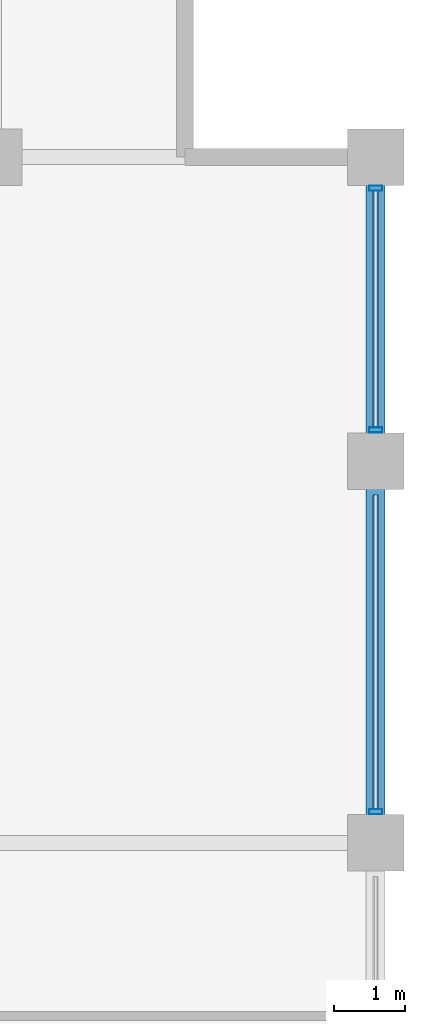
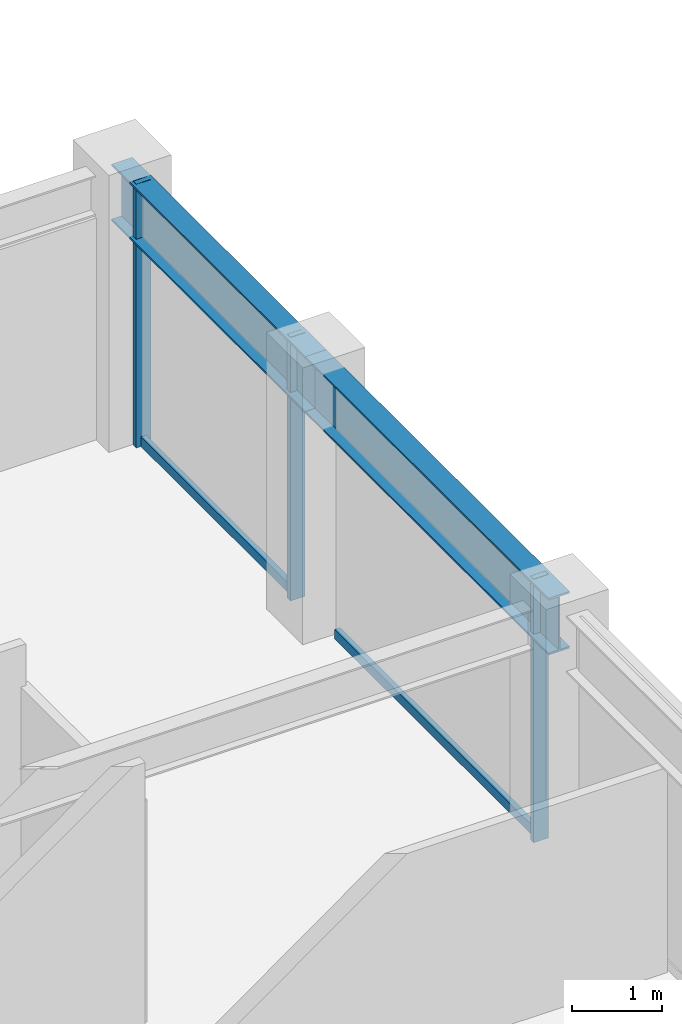
# One storey, part 25 of 32: 5 members, 2 beams, 1 element without a shape of its own.
"""IFC4 building model written with IfcOpenShell, lengths in metres."""

from ifc_helpers import new_model, si_unit, direction, frame, origin, origin_2d, place, context, subcontext, project, spatial, hollow_rectangle, i_section, extrude, material, layer, layer_set, material_profile, profile_set, type_object, element, aggregate, save


model = new_model("IFC4")

# Units and contexts
model_context = context("Model", 3, precision=1e-05, world=origin(), true_north=direction((0.0, 1.0)))
body_context = subcontext(model_context, "Body", "Model", "MODEL_VIEW")
ifc_project = project(units=[si_unit("LENGTHUNIT", "METRE"), si_unit("AREAUNIT", "SQUARE_METRE"), si_unit("VOLUMEUNIT", "CUBIC_METRE"), si_unit("PLANEANGLEUNIT", "RADIAN"), si_unit("MASSUNIT", "GRAM", prefix="KILO")], contexts=[model_context])

# Site, building, storey
site_placement = place(None, origin())
site = spatial("IfcSite", under=ifc_project, at=site_placement, CompositionType="ELEMENT")
building_placement = place(site_placement, origin())
building = spatial("IfcBuilding", under=site, at=building_placement, Name="Surkhivell Harbour Commons", CompositionType="ELEMENT")
storey_placement = place(building_placement, frame((0.0, 0.0, 216.0)))
storey = spatial("IfcBuildingStorey", under=building, at=storey_placement, Name="L56", CompositionType="ELEMENT", Elevation=216.0)

# Beams
ifc_material_1 = material(Name="Steel S355", Category="steel")
ifc_material_profile_1 = material_profile(ifc_material_1, i_section(OverallWidth=0.26806640625, OverallDepth=0.77001953125, WebThickness=0.015625, FlangeThickness=0.025390625, at=origin_2d()), Name="UB762x267x197")
ifc_profile_set_1 = profile_set([ifc_material_profile_1], Name="Steel S355")
beam_type = type_object("IfcBeamType", Name="BM-SPN-762", PredefinedType="SPANDREL", material=ifc_profile_set_1)
beam_1_placement = place(storey_placement, frame((21.60009765625, 10.800048828125, 3.18505859375), z_axis=(0.0, 1.0, 0.0), x_axis=(-1.0, 0.0, 0.0)))
element("IfcBeam", 1, at=beam_1_placement, inside=storey, type_object=beam_type, Name="L56 Tube Spandrel (21.6,10.8)", PredefinedType="SPANDREL", context=body_context, shape_type="SweptSolid", body=[
    extrude(i_section(OverallWidth=0.26806640625, OverallDepth=0.77001953125, WebThickness=0.015625, FlangeThickness=0.025390625, at=origin_2d()), origin(), (0.0, 0.0, 1.0), 5.39990234375),
])
beam_2_placement = place(storey_placement, frame((21.60009765625, 16.199951171875, 3.18505859375), z_axis=(0.0, 1.0, 0.0), x_axis=(-1.0, 0.0, 0.0)))
element("IfcBeam", 2, at=beam_2_placement, inside=storey, type_object=beam_type, Name="L56 Tube Spandrel (21.6,16.2)", PredefinedType="SPANDREL", context=body_context, shape_type="SweptSolid", body=[
    extrude(i_section(OverallWidth=0.26806640625, OverallDepth=0.77001953125, WebThickness=0.015625, FlangeThickness=0.025390625, at=origin_2d()), origin(), (0.0, 0.0, 1.0), 4.300048828125),
])

# Curtain wall, members
ifc_material_2 = material(Name="Anodised pale-metal aluminium and insulated glazing", Category="aluminium")
ifc_layer = layer(ifc_material_2, 0.18994140625)
ifc_layer_set = layer_set([ifc_layer], Name="Anodised pale-metal aluminium and insulated glazing")
curtain_wall_type = type_object("IfcCurtainWallType", Name="CW-SYS-Z3", PredefinedType="NOTDEFINED", material=ifc_layer_set)
curtain_wall_placement = place(storey_placement, origin())
curtain_wall = element("IfcCurtainWall", 3, at=curtain_wall_placement, inside=storey, type_object=curtain_wall_type, Name="L56 Curtain Wall CW-L56-E02", PredefinedType="NOTDEFINED")
ifc_material_3 = material(Name="Anodised pale-metal aluminium alloy 6063-T6", Category="aluminium")
ifc_material_profile_2 = material_profile(ifc_material_3, hollow_rectangle(XDim=0.074951171875, YDim=0.18994140625, WallThickness=0.00390625, at=origin_2d()), Name="ALU-MULL-75x190")
ifc_profile_set_2 = profile_set([ifc_material_profile_2], Name="Anodised pale-metal aluminium alloy 6063-T6")
member_type_1 = type_object("IfcMemberType", Name="CWM-190", PredefinedType="MULLION", material=ifc_profile_set_2)
member_1_placement = place(storey_placement, frame((21.60009765625, 11.239501953125, 0.0), z_axis=(0.0, 0.0, 1.0), x_axis=(0.0, 1.0, 0.0)))
member_1 = element("IfcMember", 4, at=member_1_placement, type_object=member_type_1, Name="CW-Z3 mullion 4", PredefinedType="MULLION", context=body_context, shape_type="SweptSolid", body=[
    extrude(hollow_rectangle(XDim=0.074951171875, YDim=0.18994140625, WallThickness=0.00390625, at=origin_2d()), origin(), (0.0, 0.0, 1.0), 3.570068359375),
])
member_2_placement = place(storey_placement, frame((21.60009765625, 16.639404296875, 0.0), z_axis=(0.0, 0.0, 1.0), x_axis=(0.0, 1.0, 0.0)))
member_2 = element("IfcMember", 5, at=member_2_placement, type_object=member_type_1, Name="CW-Z3 mullion 5", PredefinedType="MULLION", context=body_context, shape_type="SweptSolid", body=[
    extrude(hollow_rectangle(XDim=0.074951171875, YDim=0.18994140625, WallThickness=0.00390625, at=origin_2d()), origin(), (0.0, 0.0, 1.0), 3.570068359375),
])
member_3_placement = place(storey_placement, frame((21.60009765625, 20.060546875, 0.0), z_axis=(0.0, 0.0, 1.0), x_axis=(0.0, 1.0, 0.0)))
member_3 = element("IfcMember", 6, at=member_3_placement, type_object=member_type_1, Name="CW-Z3 mullion 6", PredefinedType="MULLION", context=body_context, shape_type="SweptSolid", body=[
    extrude(hollow_rectangle(XDim=0.074951171875, YDim=0.18994140625, WallThickness=0.00390625, at=origin_2d()), origin(), (0.0, 0.0, 1.0), 3.570068359375),
])
ifc_material_4 = material(Name="Champagne anodised aluminium alloy 6063-T6", Category="aluminium")
ifc_material_profile_3 = material_profile(ifc_material_4, hollow_rectangle(XDim=0.070068359375, YDim=0.1298828125, WallThickness=0.00341796875, at=origin_2d()), Name="ALU-TRAN-70x130")
ifc_profile_set_3 = profile_set([ifc_material_profile_3], Name="Champagne anodised aluminium alloy 6063-T6")
member_type_2 = type_object("IfcMemberType", Name="CWT-130", PredefinedType="USERDEFINED", material=ifc_profile_set_3)
member_4_placement = place(storey_placement, frame((21.60009765625, 11.277099609375, 0.06494140625), z_axis=(0.0, 1.0, 0.0), x_axis=(-1.0, 0.0, 0.0)))
member_4 = element("IfcMember", 7, at=member_4_placement, type_object=member_type_2, Name="CW-Z3 transom 4.1", ObjectType="TRANSOM", PredefinedType="USERDEFINED", context=body_context, shape_type="SweptSolid", body=[
    extrude(hollow_rectangle(XDim=0.070068359375, YDim=0.1298828125, WallThickness=0.00341796875, at=origin_2d()), origin(), (0.0, 0.0, 1.0), 4.44580078125),
])
member_5_placement = place(storey_placement, frame((21.60009765625, 16.677001953125, 0.06494140625), z_axis=(0.0, 1.0, 0.0), x_axis=(-1.0, 0.0, 0.0)))
member_5 = element("IfcMember", 8, at=member_5_placement, type_object=member_type_2, Name="CW-Z3 transom 5.1", ObjectType="TRANSOM", PredefinedType="USERDEFINED", context=body_context, shape_type="SweptSolid", body=[
    extrude(hollow_rectangle(XDim=0.070068359375, YDim=0.1298828125, WallThickness=0.00341796875, at=origin_2d()), origin(), (0.0, 0.0, 1.0), 3.345947265625),
])
aggregate(curtain_wall, [member_1, member_4, member_2, member_3, member_5])

save(model, "model.ifc")
